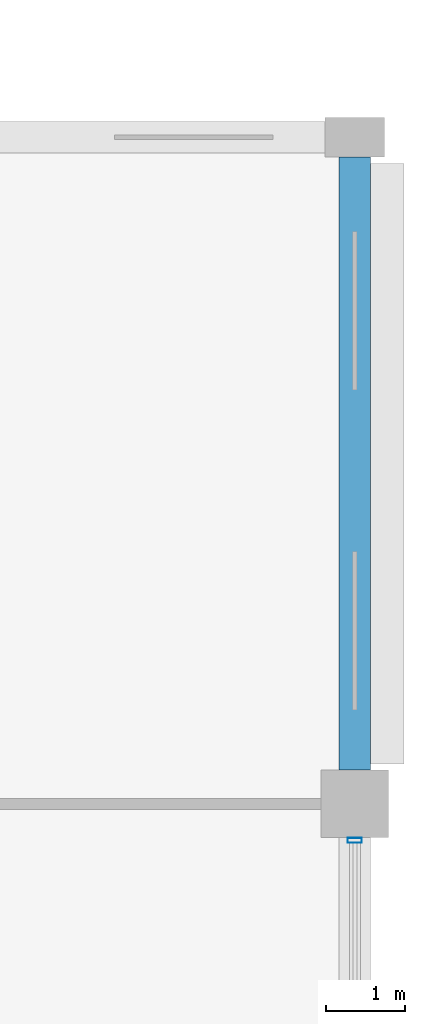
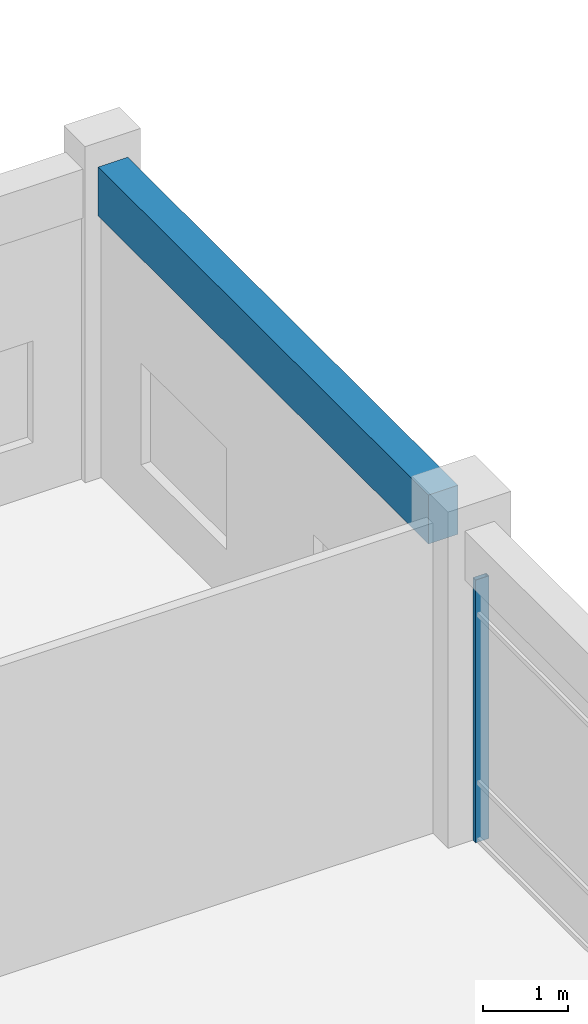
# One storey, part 47 of 79: 1 beam, 1 member, 1 element without a shape of its own.
"""IFC4 building model written with IfcOpenShell, lengths in metres."""

from ifc_helpers import new_model, si_unit, direction, frame, origin, origin_2d, place, context, subcontext, project, spatial, rectangle, hollow_rectangle, extrude, material, material_profile, profile_set, type_object, element, aggregate, save


model = new_model("IFC4")

# Units and contexts
model_context = context("Model", 3, precision=1e-05, world=origin(), true_north=direction((0.0, 1.0)))
body_context = subcontext(model_context, "Body", "Model", "MODEL_VIEW")
ifc_project = project(units=[si_unit("LENGTHUNIT", "METRE"), si_unit("AREAUNIT", "SQUARE_METRE"), si_unit("VOLUMEUNIT", "CUBIC_METRE"), si_unit("PLANEANGLEUNIT", "RADIAN"), si_unit("MASSUNIT", "GRAM", prefix="KILO"), si_unit("THERMODYNAMICTEMPERATUREUNIT", "KELVIN"), si_unit("POWERUNIT", "WATT")], contexts=[model_context])

# Site, building, storey
site_placement = place(None, origin())
site = spatial("IfcSite", under=ifc_project, at=site_placement, CompositionType="ELEMENT")
building_placement = place(site_placement, origin())
building = spatial("IfcBuilding", under=site, at=building_placement, Name="Srebrne Nadtorze General Hospital", CompositionType="ELEMENT")
storey_placement = place(building_placement, frame((0.0, 0.0, 4.800048828125)))
storey = spatial("IfcBuildingStorey", under=building, at=storey_placement, Name="L01", CompositionType="ELEMENT", Elevation=4.800048828125)

# Curtain wall, member
ifc_material_1 = material(Name="Anodised Aluminium", Category="aluminium")
curtain_wall_type = type_object("IfcCurtainWallType", Name="Unitised curtain wall 7725x3750", PredefinedType="NOTDEFINED", material=ifc_material_1)
curtain_wall_placement = place(storey_placement, origin())
curtain_wall = element("IfcCurtainWall", 1, at=curtain_wall_placement, inside=storey, type_object=curtain_wall_type, Name="Curtain wall CW-067", PredefinedType="NOTDEFINED")
ifc_material_2 = material(Name="Anodised Aluminium", Category="aluminium")
ifc_material_profile_1 = material_profile(ifc_material_2, hollow_rectangle(XDim=0.06494140625, YDim=0.179931640625, WallThickness=0.00390625, at=origin_2d()), Name="AL-MUL-65x180")
ifc_profile_set_1 = profile_set([ifc_material_profile_1], Name="Anodised Aluminium")
member_type = type_object("IfcMemberType", Name="Curtain mullion 65x180", PredefinedType="MULLION", material=ifc_profile_set_1)
member_placement = place(storey_placement, frame((171.60009765625, 66.742431640625, 0.0), z_axis=(0.0, 0.0, 1.0), x_axis=(0.0, 1.0, 0.0)))
member = element("IfcMember", 2, at=member_placement, type_object=member_type, Name="CW-067 mullion 3", PredefinedType="MULLION", context=body_context, shape_type="SweptSolid", body=[
    extrude(hollow_rectangle(XDim=0.06494140625, YDim=0.179931640625, WallThickness=0.00390625, at=origin_2d()), origin(), (0.0, 0.0, 1.0), 3.75),
])
aggregate(curtain_wall, [member])

# Beam
ifc_material_3 = material(Name="Concrete C40/50", Category="concrete")
ifc_material_profile_2 = material_profile(ifc_material_3, rectangle(XDim=0.39990234375, YDim=0.699951171875, at=origin_2d()), Name="RC-BM-400x700")
ifc_profile_set_2 = profile_set([ifc_material_profile_2], Name="Concrete C40/50")
beam_type = type_object("IfcBeamType", Name="Edge beam RC 400x700", PredefinedType="BEAM", material=ifc_profile_set_2)
beam_placement = place(storey_placement, frame((171.60009765625, 67.625, 4.099853515625), z_axis=(0.0, 1.0, 0.0), x_axis=(-1.0, 0.0, 0.0)))
element("IfcBeam", 3, at=beam_placement, inside=storey, type_object=beam_type, Name="Beam BM-L01-Y-0552", PredefinedType="BEAM", context=body_context, shape_type="SweptSolid", body=[
    extrude(rectangle(XDim=0.39990234375, YDim=0.699951171875, at=origin_2d()), origin(), (0.0, 0.0, 1.0), 7.72509765625),
])

save(model, "model.ifc")
